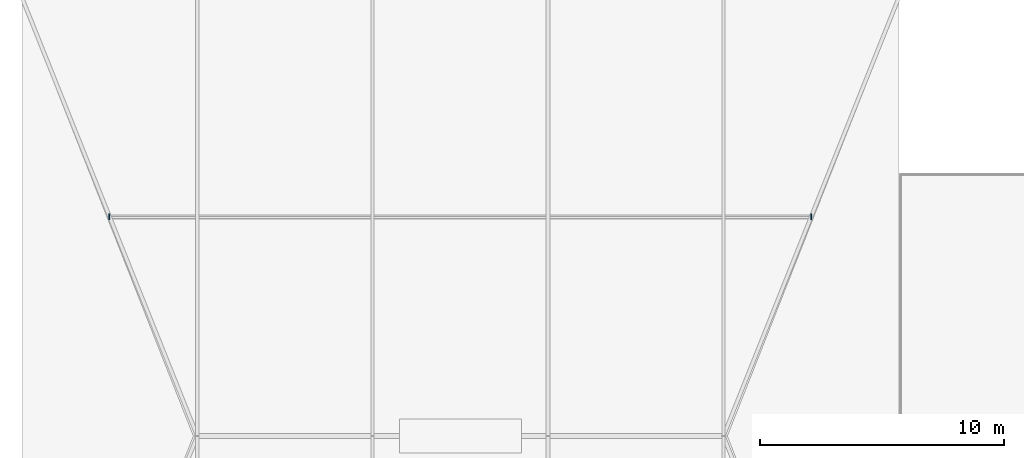
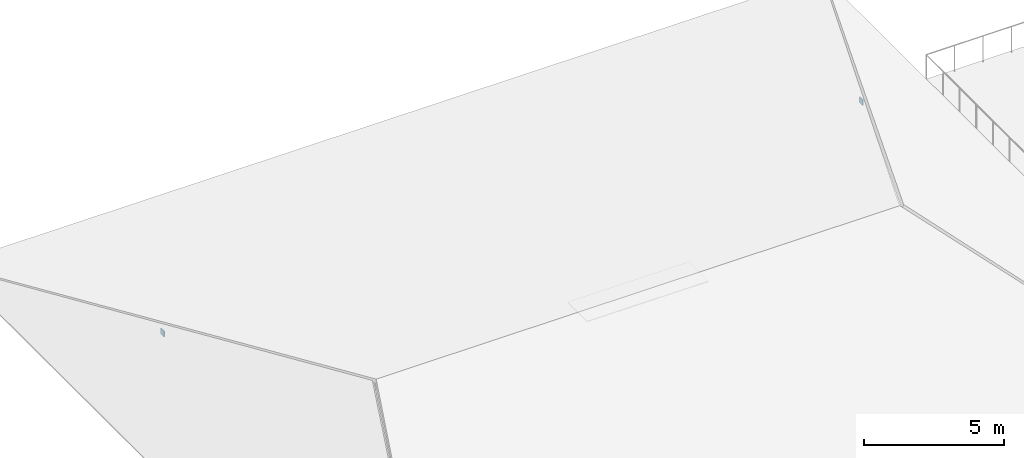
# One storey, part 44 of 55: 2 discrete accessories.
"""IFC4 building model written with IfcOpenShell, lengths in metres."""

from ifc_helpers import new_model, si_unit, direction, frame, origin, origin_2d, place, context, subcontext, project, spatial, rectangle, extrude, material, type_object, element, save


model = new_model("IFC4")

# Units and contexts
model_context = context("Model", 3, precision=1e-05, world=origin(), true_north=direction((0.0, 1.0)))
body_context = subcontext(model_context, "Body", "Model", "MODEL_VIEW")
ifc_project = project(units=[si_unit("LENGTHUNIT", "METRE"), si_unit("AREAUNIT", "SQUARE_METRE"), si_unit("VOLUMEUNIT", "CUBIC_METRE"), si_unit("PLANEANGLEUNIT", "RADIAN"), si_unit("MASSUNIT", "GRAM", prefix="KILO")], contexts=[model_context])

# Site, building, storey
site_placement = place(None, origin())
site = spatial("IfcSite", under=ifc_project, at=site_placement, CompositionType="ELEMENT")
building_placement = place(site_placement, origin())
building = spatial("IfcBuilding", under=site, at=building_placement, Name="Kazehaya Institute of Natural Sciences", CompositionType="ELEMENT")
storey_placement = place(building_placement, frame((0.0, 0.0, 15.1201171875)))
storey = spatial("IfcBuildingStorey", under=building, at=storey_placement, Name="L03", CompositionType="ELEMENT", Elevation=15.1201171875)

# Discrete accessories
ifc_material = material(Name="Structural steel SN490B", Category="steel")
discrete_accessory_type = type_object("IfcDiscreteAccessoryType", Name="ACC-STL-CAP", PredefinedType="BRACKET", material=ifc_material)
for number, where, z_axis, x_axis, name in (
    (1, (14.991943359375, 33.800048828125, 1.31005859375), (0.0, 0.0, 1.0), (1.0, 0.0, 0.0), "ROOF-VOL3 hollow purlin welded end cap 2 W"),
    (2, (43.80810546875, 33.800048828125, 1.31005859375), (0.0, 0.0, 1.0), (1.0, 0.0, 0.0), "ROOF-VOL3 hollow purlin welded end cap 2 E"),
):
    element("IfcDiscreteAccessory", number, at=place(storey_placement, frame(where, z_axis=z_axis, x_axis=x_axis)), inside=storey, type_object=discrete_accessory_type, Name=name, PredefinedType="BRACKET", context=body_context, shape_type="SweptSolid", body=[
        extrude(rectangle(XDim=0.0400390625, YDim=0.239990234375, at=origin_2d()), origin(), (0.0, 0.0, 1.0), 0.239990234375),
    ])

save(model, "model.ifc")
